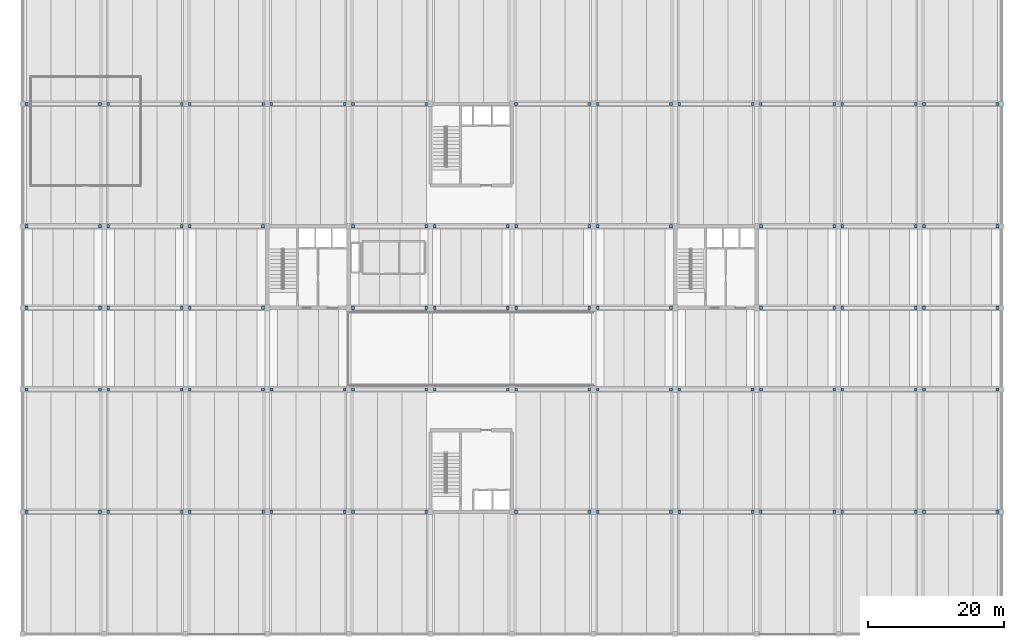
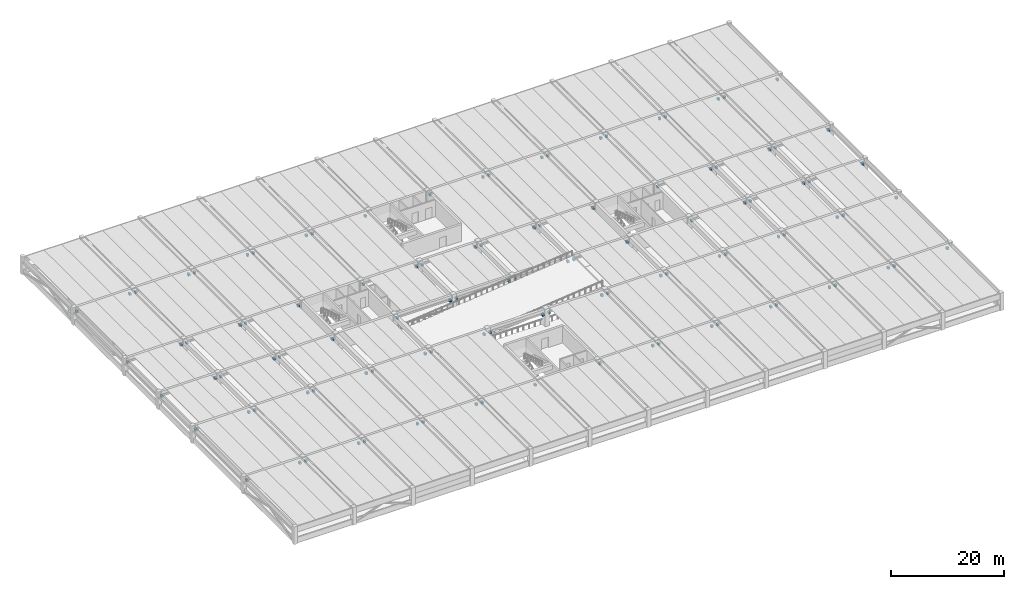
# One storey, part 11 of 14: 108 discrete accessories.
"""IFC4 building model written with IfcOpenShell, lengths in metres."""

import ifcopenshell
import ifcopenshell.guid

model = None  # the IFC model being written
_history = None  # IfcOwnerHistory: only IFC2X3 demands one
_inside = {}  # id of a spatial element -> (the spatial element, [elements in it])
_under = {}  # id of a project, library or spatial element -> (it, [spatial elements below it])
_declared = {}  # id of a project -> (the project, [libraries it declares])
_typed = {}  # id of a type object -> (the type object, [elements of that type])
_made_of = {}  # id of a material, layer set ... -> (it, [elements and type objects made of it])


def new_model(schema):
    """Start an empty IFC model of exactly this schema.

    Asked for "IFC4X3", IfcOpenShell would pick the latest addendum, in which some entities
    have other attributes; the version numbers below select the first issue.
    IFC2X3 requires an IfcOwnerHistory on every rooted entity: one is made here for all.
    """
    global model, _history
    if schema == "IFC4X3":
        model = ifcopenshell.file(schema_version=(4, 3, 0, 0))
    else:
        model = ifcopenshell.file(schema=schema)
    _inside.clear()
    _under.clear()
    _declared.clear()
    _typed.clear()
    _made_of.clear()
    _history = None
    if model.schema == "IFC2X3":
        org = make("IfcOrganization", Name="unknown")
        user = make(
            "IfcPersonAndOrganization",
            ThePerson=make("IfcPerson", FamilyName="unknown"),
            TheOrganization=org,
        )
        app = make(
            "IfcApplication",
            ApplicationDeveloper=org,
            Version="unknown",
            ApplicationFullName="unknown",
            ApplicationIdentifier="unknown",
        )
        _history = make(
            "IfcOwnerHistory",
            OwningUser=user,
            OwningApplication=app,
            ChangeAction="ADDED",
            CreationDate=0,
        )
    return model


def make(cls, **values):
    """One entity of the class cls with the attributes given. An attribute that is None is left unset."""
    return model.create_entity(
        cls, **{name: value for name, value in values.items() if value is not None}
    )


def rooted(cls, **values):
    """An entity with a GlobalId (a new one), such as an element, a storey or a relation."""
    return make(cls, GlobalId=ifcopenshell.guid.new(), OwnerHistory=_history, **values)


def si_unit(unit_type, name, prefix=None):
    """IfcSIUnit, for example si_unit("LENGTHUNIT", "METRE", prefix="MILLI")."""
    return make("IfcSIUnit", UnitType=unit_type, Prefix=prefix, Name=name)


def assignment(units):
    """IfcUnitAssignment: the units of a project."""
    return None if units is None else make("IfcUnitAssignment", Units=units)


def point(xyz):
    """IfcCartesianPoint."""
    return None if xyz is None else make("IfcCartesianPoint", Coordinates=xyz)


def direction(xyz):
    """IfcDirection."""
    return None if xyz is None else make("IfcDirection", DirectionRatios=xyz)


def frame(location, z_axis=None, x_axis=None):
    """IfcAxis2Placement3D, a coordinate frame: its origin and axes. An axis left out is left unset."""
    return make(
        "IfcAxis2Placement3D",
        Location=point(location),
        Axis=direction(z_axis),
        RefDirection=direction(x_axis),
    )


def frame_2d(location, x_axis=None):
    """IfcAxis2Placement2D, a coordinate frame in the plane: its origin and x axis."""
    return make(
        "IfcAxis2Placement2D", Location=point(location), RefDirection=direction(x_axis)
    )


def origin():
    """The frame at (0, 0, 0) with its axes left unset."""
    return frame((0.0, 0.0, 0.0))


def origin_2d():
    """The frame at (0, 0) in the plane with its x axis left unset."""
    return frame_2d((0.0, 0.0))


def place(relative_to, where):
    """IfcLocalPlacement: puts the frame where relative to a parent placement (None: the world)."""
    return make(
        "IfcLocalPlacement", PlacementRelTo=relative_to, RelativePlacement=where
    )


def context(
    kind, dimensions, precision=None, world=None, true_north=None, identifier=None
):
    """IfcGeometricRepresentationContext, for example the 3D "Model" context."""
    return make(
        "IfcGeometricRepresentationContext",
        ContextIdentifier=identifier,
        ContextType=kind,
        CoordinateSpaceDimension=dimensions,
        Precision=precision,
        WorldCoordinateSystem=world,
        TrueNorth=true_north,
    )


def subcontext(parent, identifier, kind, view, scale=None):
    """IfcGeometricRepresentationSubContext, for example "Body" below "Model"."""
    return make(
        "IfcGeometricRepresentationSubContext",
        ContextIdentifier=identifier,
        ContextType=kind,
        ParentContext=parent,
        TargetScale=scale,
        TargetView=view,
    )


def project(units=None, contexts=None):
    """IfcProject with its units and contexts."""
    return rooted(
        "IfcProject",
        Name="project",
        RepresentationContexts=contexts,
        UnitsInContext=assignment(units),
    )


def spatial(cls, under=None, at=None, **own):
    """A site, building, storey or space (cls), placed at a placement, below another one or the project."""
    s = rooted(cls, ObjectPlacement=at, **own)
    if under is not None:
        _under.setdefault(under.id(), (under, []))[1].append(s)
    return s


def profile(cls, at=None, kind="AREA", **sizes):
    """A parametric profile (cls). Its sizes go by their IFC names, for example OverallWidth=200.0."""
    return make(cls, ProfileType=kind, Position=at, **sizes)


def rectangle(**sizes):
    """IfcRectangleProfileDef."""
    return profile("IfcRectangleProfileDef", **sizes)


def extrude(swept, where, along, depth):
    """IfcExtrudedAreaSolid: the profile swept, set in the frame where, extruded along a direction by depth."""
    return make(
        "IfcExtrudedAreaSolid",
        SweptArea=swept,
        Position=where,
        ExtrudedDirection=direction(along),
        Depth=depth,
    )


def shape(context_of_items, identifier, shape_type, items):
    """IfcShapeRepresentation: the items that make up one representation, for example the "Body"."""
    return make(
        "IfcShapeRepresentation",
        ContextOfItems=context_of_items,
        RepresentationIdentifier=identifier,
        RepresentationType=shape_type,
        Items=items,
    )


def material(Name=None, Category=None):
    """IfcMaterial."""
    return make("IfcMaterial", Name=Name, Category=Category)


def made_of(thing, what):
    """Note that an element or type object is made of a material, layer set ...; save() writes the relation."""
    if what is not None:
        _made_of.setdefault(what.id(), (what, []))[1].append(thing)
    return thing


def type_object(cls, material=None, **own):
    """A type object (cls), such as IfcWallType, which elements share."""
    return made_of(rooted(cls, **own), material)


def element(
    cls,
    number,
    at=None,
    inside=None,
    cuts=None,
    type_object=None,
    material=None,
    context=None,
    identifier="Body",
    shape_type=None,
    held_by="IfcProductDefinitionShape",
    body=None,
    shapes=None,
    **own,
):
    """One element of the class cls, such as IfcWall. Its Tag is "e" and its number.

    at: its placement. inside: the storey or other place that contains it. cuts: it is an
    opening in that element (IfcRelVoidsElement). A single representation is given by context,
    identifier, shape_type and body (its items); several are given by shapes. held_by: the class
    of the entity that holds the representations. save() writes the other relations.
    """
    e = rooted(cls, Tag="e%d" % number, ObjectPlacement=at, **own)
    if body is not None:
        shapes = [shape(context, identifier, shape_type, body)]
    if shapes is not None:
        e.Representation = make(held_by, Representations=shapes)
    if inside is not None:
        _inside.setdefault(inside.id(), (inside, []))[1].append(e)
    if cuts is not None:
        rooted(
            "IfcRelVoidsElement", RelatingBuildingElement=cuts, RelatedOpeningElement=e
        )
    if type_object is not None:
        _typed.setdefault(type_object.id(), (type_object, []))[1].append(e)
    return made_of(e, material)


def aggregate(whole, parts):
    """IfcRelAggregates: a whole, such as a stair, and the parts it consists of."""
    return rooted("IfcRelAggregates", RelatingObject=whole, RelatedObjects=parts)


def save(model, path):
    """Write the relations noted so far, then the file.

    IfcRelAggregates (storeys below a building ...), IfcRelContainedInSpatialStructure (elements
    in a storey), IfcRelDefinesByType, IfcRelAssociatesMaterial and IfcRelDeclares: one each for
    every whole, place, type object, material and project.
    """
    for whole, parts in _under.values():
        aggregate(whole, parts)
    for where, things in _inside.values():
        rooted(
            "IfcRelContainedInSpatialStructure",
            RelatedElements=things,
            RelatingStructure=where,
        )
    for kind, things in _typed.values():
        rooted("IfcRelDefinesByType", RelatedObjects=things, RelatingType=kind)
    for what, things in _made_of.values():
        rooted("IfcRelAssociatesMaterial", RelatedObjects=things, RelatingMaterial=what)
    for by, libraries in _declared.values():
        rooted("IfcRelDeclares", RelatingContext=by, RelatedDefinitions=libraries)
    model.write(path)


model = new_model("IFC4")

# Units and contexts
model_context = context("Model", 3, precision=1e-05, world=origin(), true_north=direction((0.0, 1.0)))
body_context = subcontext(model_context, "Body", "Model", "MODEL_VIEW")
ifc_project = project(units=[si_unit("LENGTHUNIT", "METRE"), si_unit("AREAUNIT", "SQUARE_METRE"), si_unit("VOLUMEUNIT", "CUBIC_METRE"), si_unit("PLANEANGLEUNIT", "RADIAN"), si_unit("MASSUNIT", "GRAM", prefix="KILO")], contexts=[model_context])

# Site, building, storey
site_placement = place(None, origin())
site = spatial("IfcSite", under=ifc_project, at=site_placement, CompositionType="ELEMENT")
building_placement = place(site_placement, origin())
building = spatial("IfcBuilding", under=site, at=building_placement, Name="Girod Span Mobility Hub", CompositionType="ELEMENT")
storey_placement = place(building_placement, frame((0.0, 0.0, 24.800048828125)))
storey = spatial("IfcBuildingStorey", under=building, at=storey_placement, Name="L06", CompositionType="ELEMENT", Elevation=24.800048828125)

# Discrete accessories
ifc_material = material(Name="Concrete C40/50", Category="concrete")
discrete_accessory_type = type_object("IfcDiscreteAccessoryType", Name="ACC-CORBEL-480", PredefinedType="BRACKET", material=ifc_material)
for number, where, z_axis, x_axis, name in (
    (1, (12.572998046875, 27.0, 2.2470703125), (0.0, 0.0, 1.0), (1.0, 0.0, 0.0), "Precast Corbel 2/C-L L06"),
    (2, (23.402099609375, 27.0, 2.2470703125), (0.0, 0.0, 1.0), (1.0, 0.0, 0.0), "Precast Corbel 2/C-R L06"),
    (3, (24.597900390625, 27.0, 2.2470703125), (0.0, 0.0, 1.0), (1.0, 0.0, 0.0), "Precast Corbel 3/C-L L06"),
    (4, (35.402099609375, 27.0, 2.2470703125), (0.0, 0.0, 1.0), (1.0, 0.0, 0.0), "Precast Corbel 3/C-R L06"),
    (5, (36.597900390625, 27.0, 2.2470703125), (0.0, 0.0, 1.0), (1.0, 0.0, 0.0), "Precast Corbel 4/C-L L06"),
    (6, (47.402099609375, 27.0, 2.2470703125), (0.0, 0.0, 1.0), (1.0, 0.0, 0.0), "Precast Corbel 4/C-R L06"),
    (7, (48.597900390625, 27.0, 2.2470703125), (0.0, 0.0, 1.0), (1.0, 0.0, 0.0), "Precast Corbel 5/C-L L06"),
    (8, (59.402099609375, 27.0, 2.2470703125), (0.0, 0.0, 1.0), (1.0, 0.0, 0.0), "Precast Corbel 5/C-R L06"),
    (9, (60.597900390625, 27.0, 2.2470703125), (0.0, 0.0, 1.0), (1.0, 0.0, 0.0), "Precast Corbel 6/C-L L06"),
    (10, (71.402099609375, 27.0, 2.2470703125), (0.0, 0.0, 1.0), (1.0, 0.0, 0.0), "Precast Corbel 6/C-R L06"),
    (11, (84.597900390625, 27.0, 2.2470703125), (0.0, 0.0, 1.0), (1.0, 0.0, 0.0), "Precast Corbel 8/C-L L06"),
    (12, (95.402099609375, 27.0, 2.2470703125), (0.0, 0.0, 1.0), (1.0, 0.0, 0.0), "Precast Corbel 8/C-R L06"),
    (13, (96.597900390625, 27.0, 2.2470703125), (0.0, 0.0, 1.0), (1.0, 0.0, 0.0), "Precast Corbel 9/C-L L06"),
    (14, (107.402099609375, 27.0, 2.2470703125), (0.0, 0.0, 1.0), (1.0, 0.0, 0.0), "Precast Corbel 9/C-R L06"),
    (15, (108.597900390625, 27.0, 2.2470703125), (0.0, 0.0, 1.0), (1.0, 0.0, 0.0), "Precast Corbel 10/C-L L06"),
    (16, (119.402099609375, 27.0, 2.2470703125), (0.0, 0.0, 1.0), (1.0, 0.0, 0.0), "Precast Corbel 10/C-R L06"),
    (17, (120.597900390625, 27.0, 2.2470703125), (0.0, 0.0, 1.0), (1.0, 0.0, 0.0), "Precast Corbel 11/C-L L06"),
    (18, (131.402099609375, 27.0, 2.2470703125), (0.0, 0.0, 1.0), (1.0, 0.0, 0.0), "Precast Corbel 11/C-R L06"),
    (19, (132.597900390625, 27.0, 2.2470703125), (0.0, 0.0, 1.0), (1.0, 0.0, 0.0), "Precast Corbel 12/C-L L06"),
    (20, (143.402099609375, 27.0, 2.2470703125), (0.0, 0.0, 1.0), (1.0, 0.0, 0.0), "Precast Corbel 12/C-R L06"),
    (21, (144.597900390625, 27.0, 2.2470703125), (0.0, 0.0, 1.0), (1.0, 0.0, 0.0), "Precast Corbel 13/C-L L06"),
    (22, (155.427001953125, 27.0, 2.2470703125), (0.0, 0.0, 1.0), (1.0, 0.0, 0.0), "Precast Corbel 13/C-R L06"),
    (23, (12.572998046875, 45.0, 2.2470703125), (0.0, 0.0, 1.0), (1.0, 0.0, 0.0), "Precast Corbel 2/D-L L06"),
    (24, (23.402099609375, 45.0, 2.2470703125), (0.0, 0.0, 1.0), (1.0, 0.0, 0.0), "Precast Corbel 2/D-R L06"),
    (25, (24.597900390625, 45.0, 2.2470703125), (0.0, 0.0, 1.0), (1.0, 0.0, 0.0), "Precast Corbel 3/D-L L06"),
    (26, (35.402099609375, 45.0, 2.2470703125), (0.0, 0.0, 1.0), (1.0, 0.0, 0.0), "Precast Corbel 3/D-R L06"),
    (27, (36.597900390625, 45.0, 2.2470703125), (0.0, 0.0, 1.0), (1.0, 0.0, 0.0), "Precast Corbel 4/D-L L06"),
    (28, (47.376953125, 45.0, 2.2470703125), (0.0, 0.0, 1.0), (1.0, 0.0, 0.0), "Precast Corbel 4/D-R L06"),
    (29, (48.623046875, 45.0, 2.2470703125), (0.0, 0.0, 1.0), (1.0, 0.0, 0.0), "Precast Corbel 5/D-L L06"),
    (30, (59.376953125, 45.0, 2.2470703125), (0.0, 0.0, 1.0), (1.0, 0.0, 0.0), "Precast Corbel 5/D-R L06"),
    (31, (60.623046875, 45.0, 2.2470703125), (0.0, 0.0, 1.0), (1.0, 0.0, 0.0), "Precast Corbel 6/D-L L06"),
    (32, (71.376953125, 45.0, 2.2470703125), (0.0, 0.0, 1.0), (1.0, 0.0, 0.0), "Precast Corbel 6/D-R L06"),
    (33, (72.623046875, 45.0, 2.2470703125), (0.0, 0.0, 1.0), (1.0, 0.0, 0.0), "Precast Corbel 7/D-L L06"),
    (34, (83.376953125, 45.0, 2.2470703125), (0.0, 0.0, 1.0), (1.0, 0.0, 0.0), "Precast Corbel 7/D-R L06"),
    (35, (84.623046875, 45.0, 2.2470703125), (0.0, 0.0, 1.0), (1.0, 0.0, 0.0), "Precast Corbel 8/D-L L06"),
    (36, (95.376953125, 45.0, 2.2470703125), (0.0, 0.0, 1.0), (1.0, 0.0, 0.0), "Precast Corbel 8/D-R L06"),
    (37, (96.623046875, 45.0, 2.2470703125), (0.0, 0.0, 1.0), (1.0, 0.0, 0.0), "Precast Corbel 9/D-L L06"),
    (38, (107.376953125, 45.0, 2.2470703125), (0.0, 0.0, 1.0), (1.0, 0.0, 0.0), "Precast Corbel 9/D-R L06"),
    (39, (108.623046875, 45.0, 2.2470703125), (0.0, 0.0, 1.0), (1.0, 0.0, 0.0), "Precast Corbel 10/D-L L06"),
    (40, (119.376953125, 45.0, 2.2470703125), (0.0, 0.0, 1.0), (1.0, 0.0, 0.0), "Precast Corbel 10/D-R L06"),
    (41, (120.623046875, 45.0, 2.2470703125), (0.0, 0.0, 1.0), (1.0, 0.0, 0.0), "Precast Corbel 11/D-L L06"),
    (42, (131.402099609375, 45.0, 2.2470703125), (0.0, 0.0, 1.0), (1.0, 0.0, 0.0), "Precast Corbel 11/D-R L06"),
    (43, (132.597900390625, 45.0, 2.2470703125), (0.0, 0.0, 1.0), (1.0, 0.0, 0.0), "Precast Corbel 12/D-L L06"),
    (44, (143.402099609375, 45.0, 2.2470703125), (0.0, 0.0, 1.0), (1.0, 0.0, 0.0), "Precast Corbel 12/D-R L06"),
    (45, (144.597900390625, 45.0, 2.2470703125), (0.0, 0.0, 1.0), (1.0, 0.0, 0.0), "Precast Corbel 13/D-L L06"),
    (46, (155.427001953125, 45.0, 2.2470703125), (0.0, 0.0, 1.0), (1.0, 0.0, 0.0), "Precast Corbel 13/D-R L06"),
    (47, (12.572998046875, 57.0, 2.2470703125), (0.0, 0.0, 1.0), (1.0, 0.0, 0.0), "Precast Corbel 2/E-L L06"),
    (48, (23.402099609375, 57.0, 2.2470703125), (0.0, 0.0, 1.0), (1.0, 0.0, 0.0), "Precast Corbel 2/E-R L06"),
    (49, (24.597900390625, 57.0, 2.2470703125), (0.0, 0.0, 1.0), (1.0, 0.0, 0.0), "Precast Corbel 3/E-L L06"),
    (50, (35.402099609375, 57.0, 2.2470703125), (0.0, 0.0, 1.0), (1.0, 0.0, 0.0), "Precast Corbel 3/E-R L06"),
    (51, (36.597900390625, 57.0, 2.2470703125), (0.0, 0.0, 1.0), (1.0, 0.0, 0.0), "Precast Corbel 4/E-L L06"),
    (52, (47.376953125, 57.0, 2.2470703125), (0.0, 0.0, 1.0), (1.0, 0.0, 0.0), "Precast Corbel 4/E-R L06"),
    (53, (60.623046875, 57.0, 2.2470703125), (0.0, 0.0, 1.0), (1.0, 0.0, 0.0), "Precast Corbel 6/E-L L06"),
    (54, (71.376953125, 57.0, 2.2470703125), (0.0, 0.0, 1.0), (1.0, 0.0, 0.0), "Precast Corbel 6/E-R L06"),
    (55, (72.623046875, 57.0, 2.2470703125), (0.0, 0.0, 1.0), (1.0, 0.0, 0.0), "Precast Corbel 7/E-L L06"),
    (56, (83.376953125, 57.0, 2.2470703125), (0.0, 0.0, 1.0), (1.0, 0.0, 0.0), "Precast Corbel 7/E-R L06"),
    (57, (84.623046875, 57.0, 2.2470703125), (0.0, 0.0, 1.0), (1.0, 0.0, 0.0), "Precast Corbel 8/E-L L06"),
    (58, (95.376953125, 57.0, 2.2470703125), (0.0, 0.0, 1.0), (1.0, 0.0, 0.0), "Precast Corbel 8/E-R L06"),
    (59, (96.623046875, 57.0, 2.2470703125), (0.0, 0.0, 1.0), (1.0, 0.0, 0.0), "Precast Corbel 9/E-L L06"),
    (60, (107.376953125, 57.0, 2.2470703125), (0.0, 0.0, 1.0), (1.0, 0.0, 0.0), "Precast Corbel 9/E-R L06"),
    (61, (120.623046875, 57.0, 2.2470703125), (0.0, 0.0, 1.0), (1.0, 0.0, 0.0), "Precast Corbel 11/E-L L06"),
    (62, (131.402099609375, 57.0, 2.2470703125), (0.0, 0.0, 1.0), (1.0, 0.0, 0.0), "Precast Corbel 11/E-R L06"),
    (63, (132.597900390625, 57.0, 2.2470703125), (0.0, 0.0, 1.0), (1.0, 0.0, 0.0), "Precast Corbel 12/E-L L06"),
    (64, (143.402099609375, 57.0, 2.2470703125), (0.0, 0.0, 1.0), (1.0, 0.0, 0.0), "Precast Corbel 12/E-R L06"),
    (65, (144.597900390625, 57.0, 2.2470703125), (0.0, 0.0, 1.0), (1.0, 0.0, 0.0), "Precast Corbel 13/E-L L06"),
    (66, (155.427001953125, 57.0, 2.2470703125), (0.0, 0.0, 1.0), (1.0, 0.0, 0.0), "Precast Corbel 13/E-R L06"),
    (67, (12.572998046875, 69.0, 2.2470703125), (0.0, 0.0, 1.0), (1.0, 0.0, 0.0), "Precast Corbel 2/F-L L06"),
    (68, (23.402099609375, 69.0, 2.2470703125), (0.0, 0.0, 1.0), (1.0, 0.0, 0.0), "Precast Corbel 2/F-R L06"),
    (69, (24.597900390625, 69.0, 2.2470703125), (0.0, 0.0, 1.0), (1.0, 0.0, 0.0), "Precast Corbel 3/F-L L06"),
    (70, (35.402099609375, 69.0, 2.2470703125), (0.0, 0.0, 1.0), (1.0, 0.0, 0.0), "Precast Corbel 3/F-R L06"),
    (71, (36.597900390625, 69.0, 2.2470703125), (0.0, 0.0, 1.0), (1.0, 0.0, 0.0), "Precast Corbel 4/F-L L06"),
    (72, (47.376953125, 69.0, 2.2470703125), (0.0, 0.0, 1.0), (1.0, 0.0, 0.0), "Precast Corbel 4/F-R L06"),
    (73, (60.623046875, 69.0, 2.2470703125), (0.0, 0.0, 1.0), (1.0, 0.0, 0.0), "Precast Corbel 6/F-L L06"),
    (74, (71.376953125, 69.0, 2.2470703125), (0.0, 0.0, 1.0), (1.0, 0.0, 0.0), "Precast Corbel 6/F-R L06"),
    (75, (72.623046875, 69.0, 2.2470703125), (0.0, 0.0, 1.0), (1.0, 0.0, 0.0), "Precast Corbel 7/F-L L06"),
    (76, (83.376953125, 69.0, 2.2470703125), (0.0, 0.0, 1.0), (1.0, 0.0, 0.0), "Precast Corbel 7/F-R L06"),
    (77, (84.623046875, 69.0, 2.2470703125), (0.0, 0.0, 1.0), (1.0, 0.0, 0.0), "Precast Corbel 8/F-L L06"),
    (78, (95.376953125, 69.0, 2.2470703125), (0.0, 0.0, 1.0), (1.0, 0.0, 0.0), "Precast Corbel 8/F-R L06"),
    (79, (96.623046875, 69.0, 2.2470703125), (0.0, 0.0, 1.0), (1.0, 0.0, 0.0), "Precast Corbel 9/F-L L06"),
    (80, (107.376953125, 69.0, 2.2470703125), (0.0, 0.0, 1.0), (1.0, 0.0, 0.0), "Precast Corbel 9/F-R L06"),
    (81, (120.623046875, 69.0, 2.2470703125), (0.0, 0.0, 1.0), (1.0, 0.0, 0.0), "Precast Corbel 11/F-L L06"),
    (82, (131.402099609375, 69.0, 2.2470703125), (0.0, 0.0, 1.0), (1.0, 0.0, 0.0), "Precast Corbel 11/F-R L06"),
    (83, (132.597900390625, 69.0, 2.2470703125), (0.0, 0.0, 1.0), (1.0, 0.0, 0.0), "Precast Corbel 12/F-L L06"),
    (84, (143.402099609375, 69.0, 2.2470703125), (0.0, 0.0, 1.0), (1.0, 0.0, 0.0), "Precast Corbel 12/F-R L06"),
    (85, (144.597900390625, 69.0, 2.2470703125), (0.0, 0.0, 1.0), (1.0, 0.0, 0.0), "Precast Corbel 13/F-L L06"),
    (86, (155.427001953125, 69.0, 2.2470703125), (0.0, 0.0, 1.0), (1.0, 0.0, 0.0), "Precast Corbel 13/F-R L06"),
    (87, (12.572998046875, 87.0, 2.2470703125), (0.0, 0.0, 1.0), (1.0, 0.0, 0.0), "Precast Corbel 2/G-L L06"),
    (88, (23.402099609375, 87.0, 2.2470703125), (0.0, 0.0, 1.0), (1.0, 0.0, 0.0), "Precast Corbel 2/G-R L06"),
    (89, (24.597900390625, 87.0, 2.2470703125), (0.0, 0.0, 1.0), (1.0, 0.0, 0.0), "Precast Corbel 3/G-L L06"),
    (90, (35.402099609375, 87.0, 2.2470703125), (0.0, 0.0, 1.0), (1.0, 0.0, 0.0), "Precast Corbel 3/G-R L06"),
    (91, (36.597900390625, 87.0, 2.2470703125), (0.0, 0.0, 1.0), (1.0, 0.0, 0.0), "Precast Corbel 4/G-L L06"),
    (92, (47.402099609375, 87.0, 2.2470703125), (0.0, 0.0, 1.0), (1.0, 0.0, 0.0), "Precast Corbel 4/G-R L06"),
    (93, (48.597900390625, 87.0, 2.2470703125), (0.0, 0.0, 1.0), (1.0, 0.0, 0.0), "Precast Corbel 5/G-L L06"),
    (94, (59.402099609375, 87.0, 2.2470703125), (0.0, 0.0, 1.0), (1.0, 0.0, 0.0), "Precast Corbel 5/G-R L06"),
    (95, (60.597900390625, 87.0, 2.2470703125), (0.0, 0.0, 1.0), (1.0, 0.0, 0.0), "Precast Corbel 6/G-L L06"),
    (96, (71.402099609375, 87.0, 2.2470703125), (0.0, 0.0, 1.0), (1.0, 0.0, 0.0), "Precast Corbel 6/G-R L06"),
    (97, (84.597900390625, 87.0, 2.2470703125), (0.0, 0.0, 1.0), (1.0, 0.0, 0.0), "Precast Corbel 8/G-L L06"),
    (98, (95.402099609375, 87.0, 2.2470703125), (0.0, 0.0, 1.0), (1.0, 0.0, 0.0), "Precast Corbel 8/G-R L06"),
    (99, (96.597900390625, 87.0, 2.2470703125), (0.0, 0.0, 1.0), (1.0, 0.0, 0.0), "Precast Corbel 9/G-L L06"),
    (100, (107.402099609375, 87.0, 2.2470703125), (0.0, 0.0, 1.0), (1.0, 0.0, 0.0), "Precast Corbel 9/G-R L06"),
    (101, (108.597900390625, 87.0, 2.2470703125), (0.0, 0.0, 1.0), (1.0, 0.0, 0.0), "Precast Corbel 10/G-L L06"),
    (102, (119.402099609375, 87.0, 2.2470703125), (0.0, 0.0, 1.0), (1.0, 0.0, 0.0), "Precast Corbel 10/G-R L06"),
    (103, (120.597900390625, 87.0, 2.2470703125), (0.0, 0.0, 1.0), (1.0, 0.0, 0.0), "Precast Corbel 11/G-L L06"),
    (104, (131.402099609375, 87.0, 2.2470703125), (0.0, 0.0, 1.0), (1.0, 0.0, 0.0), "Precast Corbel 11/G-R L06"),
    (105, (132.597900390625, 87.0, 2.2470703125), (0.0, 0.0, 1.0), (1.0, 0.0, 0.0), "Precast Corbel 12/G-L L06"),
    (106, (143.402099609375, 87.0, 2.2470703125), (0.0, 0.0, 1.0), (1.0, 0.0, 0.0), "Precast Corbel 12/G-R L06"),
    (107, (144.597900390625, 87.0, 2.2470703125), (0.0, 0.0, 1.0), (1.0, 0.0, 0.0), "Precast Corbel 13/G-L L06"),
    (108, (155.427001953125, 87.0, 2.2470703125), (0.0, 0.0, 1.0), (1.0, 0.0, 0.0), "Precast Corbel 13/G-R L06"),
):
    element("IfcDiscreteAccessory", number, at=place(storey_placement, frame(where, z_axis=z_axis, x_axis=x_axis)), inside=storey, type_object=discrete_accessory_type, Name=name, PredefinedType="BRACKET", context=body_context, shape_type="SweptSolid", body=[
        extrude(rectangle(XDim=0.39990234375, YDim=0.5, at=origin_2d()), origin(), (0.0, 0.0, 1.0), 0.47998046875),
    ])

save(model, "model.ifc")
